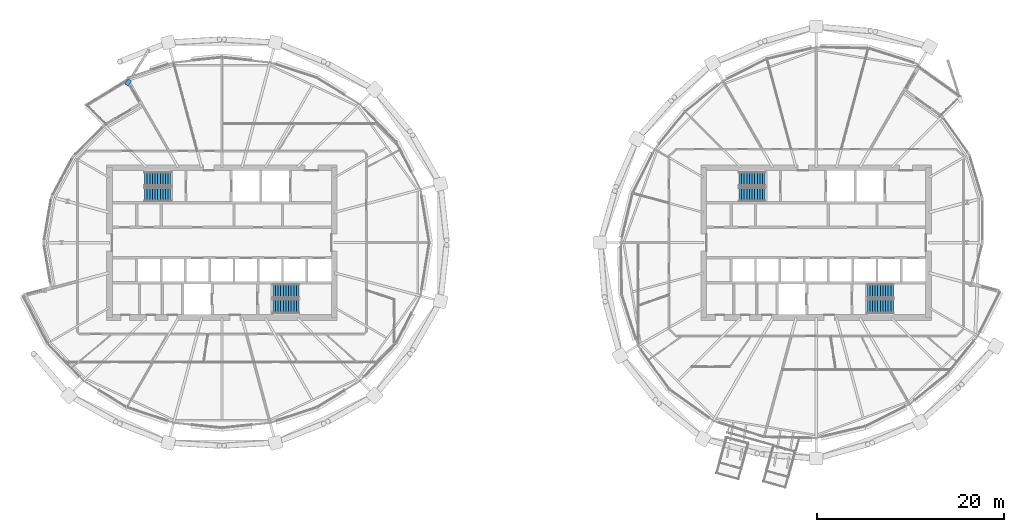
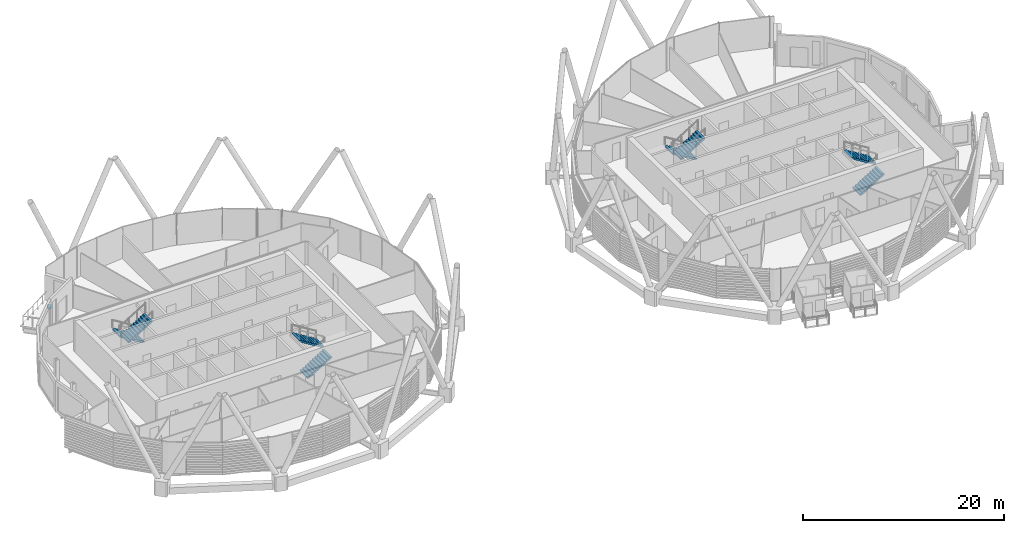
# One storey, part 28 of 37: 8 stair flights, 1 discrete accessory, 4 elements without a shape of their own.
"""IFC4 building model written with IfcOpenShell, lengths in metres."""

import ifcopenshell
import ifcopenshell.guid

model = None  # the IFC model being written
_history = None  # IfcOwnerHistory: only IFC2X3 demands one
_inside = {}  # id of a spatial element -> (the spatial element, [elements in it])
_under = {}  # id of a project, library or spatial element -> (it, [spatial elements below it])
_declared = {}  # id of a project -> (the project, [libraries it declares])
_typed = {}  # id of a type object -> (the type object, [elements of that type])
_made_of = {}  # id of a material, layer set ... -> (it, [elements and type objects made of it])


def new_model(schema):
    """Start an empty IFC model of exactly this schema.

    Asked for "IFC4X3", IfcOpenShell would pick the latest addendum, in which some entities
    have other attributes; the version numbers below select the first issue.
    IFC2X3 requires an IfcOwnerHistory on every rooted entity: one is made here for all.
    """
    global model, _history
    if schema == "IFC4X3":
        model = ifcopenshell.file(schema_version=(4, 3, 0, 0))
    else:
        model = ifcopenshell.file(schema=schema)
    _inside.clear()
    _under.clear()
    _declared.clear()
    _typed.clear()
    _made_of.clear()
    _history = None
    if model.schema == "IFC2X3":
        org = make("IfcOrganization", Name="unknown")
        user = make(
            "IfcPersonAndOrganization",
            ThePerson=make("IfcPerson", FamilyName="unknown"),
            TheOrganization=org,
        )
        app = make(
            "IfcApplication",
            ApplicationDeveloper=org,
            Version="unknown",
            ApplicationFullName="unknown",
            ApplicationIdentifier="unknown",
        )
        _history = make(
            "IfcOwnerHistory",
            OwningUser=user,
            OwningApplication=app,
            ChangeAction="ADDED",
            CreationDate=0,
        )
    return model


def make(cls, **values):
    """One entity of the class cls with the attributes given. An attribute that is None is left unset."""
    return model.create_entity(
        cls, **{name: value for name, value in values.items() if value is not None}
    )


def rooted(cls, **values):
    """An entity with a GlobalId (a new one), such as an element, a storey or a relation."""
    return make(cls, GlobalId=ifcopenshell.guid.new(), OwnerHistory=_history, **values)


def si_unit(unit_type, name, prefix=None):
    """IfcSIUnit, for example si_unit("LENGTHUNIT", "METRE", prefix="MILLI")."""
    return make("IfcSIUnit", UnitType=unit_type, Prefix=prefix, Name=name)


def assignment(units):
    """IfcUnitAssignment: the units of a project."""
    return None if units is None else make("IfcUnitAssignment", Units=units)


def point(xyz):
    """IfcCartesianPoint."""
    return None if xyz is None else make("IfcCartesianPoint", Coordinates=xyz)


def direction(xyz):
    """IfcDirection."""
    return None if xyz is None else make("IfcDirection", DirectionRatios=xyz)


def frame(location, z_axis=None, x_axis=None):
    """IfcAxis2Placement3D, a coordinate frame: its origin and axes. An axis left out is left unset."""
    return make(
        "IfcAxis2Placement3D",
        Location=point(location),
        Axis=direction(z_axis),
        RefDirection=direction(x_axis),
    )


def frame_2d(location, x_axis=None):
    """IfcAxis2Placement2D, a coordinate frame in the plane: its origin and x axis."""
    return make(
        "IfcAxis2Placement2D", Location=point(location), RefDirection=direction(x_axis)
    )


def origin():
    """The frame at (0, 0, 0) with its axes left unset."""
    return frame((0.0, 0.0, 0.0))


def origin_2d():
    """The frame at (0, 0) in the plane with its x axis left unset."""
    return frame_2d((0.0, 0.0))


def place(relative_to, where):
    """IfcLocalPlacement: puts the frame where relative to a parent placement (None: the world)."""
    return make(
        "IfcLocalPlacement", PlacementRelTo=relative_to, RelativePlacement=where
    )


def context(
    kind, dimensions, precision=None, world=None, true_north=None, identifier=None
):
    """IfcGeometricRepresentationContext, for example the 3D "Model" context."""
    return make(
        "IfcGeometricRepresentationContext",
        ContextIdentifier=identifier,
        ContextType=kind,
        CoordinateSpaceDimension=dimensions,
        Precision=precision,
        WorldCoordinateSystem=world,
        TrueNorth=true_north,
    )


def subcontext(parent, identifier, kind, view, scale=None):
    """IfcGeometricRepresentationSubContext, for example "Body" below "Model"."""
    return make(
        "IfcGeometricRepresentationSubContext",
        ContextIdentifier=identifier,
        ContextType=kind,
        ParentContext=parent,
        TargetScale=scale,
        TargetView=view,
    )


def project(units=None, contexts=None):
    """IfcProject with its units and contexts."""
    return rooted(
        "IfcProject",
        Name="project",
        RepresentationContexts=contexts,
        UnitsInContext=assignment(units),
    )


def spatial(cls, under=None, at=None, **own):
    """A site, building, storey or space (cls), placed at a placement, below another one or the project."""
    s = rooted(cls, ObjectPlacement=at, **own)
    if under is not None:
        _under.setdefault(under.id(), (under, []))[1].append(s)
    return s


def polyline(points):
    """IfcPolyline through the points."""
    return make("IfcPolyline", Points=[point(p) for p in points])


def profile(cls, at=None, kind="AREA", **sizes):
    """A parametric profile (cls). Its sizes go by their IFC names, for example OverallWidth=200.0."""
    return make(cls, ProfileType=kind, Position=at, **sizes)


def rectangle(**sizes):
    """IfcRectangleProfileDef."""
    return profile("IfcRectangleProfileDef", **sizes)


def outline(outer, holes=None, kind="AREA"):
    """IfcArbitraryClosedProfileDef: a profile drawn as a closed curve; with holes, ...WithVoids."""
    if holes is None:
        return make("IfcArbitraryClosedProfileDef", ProfileType=kind, OuterCurve=outer)
    return make(
        "IfcArbitraryProfileDefWithVoids",
        ProfileType=kind,
        OuterCurve=outer,
        InnerCurves=holes,
    )


def extrude(swept, where, along, depth):
    """IfcExtrudedAreaSolid: the profile swept, set in the frame where, extruded along a direction by depth."""
    return make(
        "IfcExtrudedAreaSolid",
        SweptArea=swept,
        Position=where,
        ExtrudedDirection=direction(along),
        Depth=depth,
    )


def shape(context_of_items, identifier, shape_type, items):
    """IfcShapeRepresentation: the items that make up one representation, for example the "Body"."""
    return make(
        "IfcShapeRepresentation",
        ContextOfItems=context_of_items,
        RepresentationIdentifier=identifier,
        RepresentationType=shape_type,
        Items=items,
    )


def material(Name=None, Category=None):
    """IfcMaterial."""
    return make("IfcMaterial", Name=Name, Category=Category)


def material_profile(
    of_material, cross_section, Name=None, Category=None, Priority=None
):
    """IfcMaterialProfile: a cross section and its material."""
    return make(
        "IfcMaterialProfile",
        Name=Name,
        Material=of_material,
        Profile=cross_section,
        Priority=Priority,
        Category=Category,
    )


def profile_set(profiles, Name=None, composite=None):
    """IfcMaterialProfileSet."""
    return make(
        "IfcMaterialProfileSet",
        Name=Name,
        MaterialProfiles=profiles,
        CompositeProfile=composite,
    )


def made_of(thing, what):
    """Note that an element or type object is made of a material, layer set ...; save() writes the relation."""
    if what is not None:
        _made_of.setdefault(what.id(), (what, []))[1].append(thing)
    return thing


def type_object(cls, material=None, **own):
    """A type object (cls), such as IfcWallType, which elements share."""
    return made_of(rooted(cls, **own), material)


def element(
    cls,
    number,
    at=None,
    inside=None,
    cuts=None,
    type_object=None,
    material=None,
    context=None,
    identifier="Body",
    shape_type=None,
    held_by="IfcProductDefinitionShape",
    body=None,
    shapes=None,
    **own,
):
    """One element of the class cls, such as IfcWall. Its Tag is "e" and its number.

    at: its placement. inside: the storey or other place that contains it. cuts: it is an
    opening in that element (IfcRelVoidsElement). A single representation is given by context,
    identifier, shape_type and body (its items); several are given by shapes. held_by: the class
    of the entity that holds the representations. save() writes the other relations.
    """
    e = rooted(cls, Tag="e%d" % number, ObjectPlacement=at, **own)
    if body is not None:
        shapes = [shape(context, identifier, shape_type, body)]
    if shapes is not None:
        e.Representation = make(held_by, Representations=shapes)
    if inside is not None:
        _inside.setdefault(inside.id(), (inside, []))[1].append(e)
    if cuts is not None:
        rooted(
            "IfcRelVoidsElement", RelatingBuildingElement=cuts, RelatedOpeningElement=e
        )
    if type_object is not None:
        _typed.setdefault(type_object.id(), (type_object, []))[1].append(e)
    return made_of(e, material)


def aggregate(whole, parts):
    """IfcRelAggregates: a whole, such as a stair, and the parts it consists of."""
    return rooted("IfcRelAggregates", RelatingObject=whole, RelatedObjects=parts)


def save(model, path):
    """Write the relations noted so far, then the file.

    IfcRelAggregates (storeys below a building ...), IfcRelContainedInSpatialStructure (elements
    in a storey), IfcRelDefinesByType, IfcRelAssociatesMaterial and IfcRelDeclares: one each for
    every whole, place, type object, material and project.
    """
    for whole, parts in _under.values():
        aggregate(whole, parts)
    for where, things in _inside.values():
        rooted(
            "IfcRelContainedInSpatialStructure",
            RelatedElements=things,
            RelatingStructure=where,
        )
    for kind, things in _typed.values():
        rooted("IfcRelDefinesByType", RelatedObjects=things, RelatingType=kind)
    for what, things in _made_of.values():
        rooted("IfcRelAssociatesMaterial", RelatedObjects=things, RelatingMaterial=what)
    for by, libraries in _declared.values():
        rooted("IfcRelDeclares", RelatingContext=by, RelatedDefinitions=libraries)
    model.write(path)


model = new_model("IFC4")

# Units and contexts
model_context = context("Model", 3, precision=1e-05, world=origin(), true_north=direction((0.0, 1.0)))
body_context = subcontext(model_context, "Body", "Model", "MODEL_VIEW")
ifc_project = project(units=[si_unit("LENGTHUNIT", "METRE"), si_unit("AREAUNIT", "SQUARE_METRE"), si_unit("VOLUMEUNIT", "CUBIC_METRE"), si_unit("PLANEANGLEUNIT", "RADIAN"), si_unit("MASSUNIT", "GRAM", prefix="KILO")], contexts=[model_context])

# Site, building, storey
site_placement = place(None, origin())
site = spatial("IfcSite", under=ifc_project, at=site_placement, CompositionType="ELEMENT")
building_placement = place(site_placement, origin())
building = spatial("IfcBuilding", under=site, at=building_placement, Name="Rimbun Link Towers", CompositionType="ELEMENT")
storey_placement = place(building_placement, frame((0.0, 0.0, 170.300048828125)))
storey = spatial("IfcBuildingStorey", under=building, at=storey_placement, Name="L41", CompositionType="ELEMENT", Elevation=170.300048828125)

# Stair, stair flights
ifc_material_1 = material(Name="Concrete C40/50", Category="concrete")
stair_type = type_object("IfcStairType", Name="Exit stair 3800 rise", PredefinedType="HALF_TURN_STAIR", material=ifc_material_1)
stair_1_placement = place(storey_placement, origin())
stair_1 = element("IfcStair", 1, at=stair_1_placement, inside=storey, type_object=stair_type, Name="L41 EXIT STAIR A", PredefinedType="HALF_TURN_STAIR")
ifc_material_2 = material(Name="Concrete C40/50", Category="concrete")
stair_flight_type = type_object("IfcStairFlightType", Name="Exit stair flight 3800 rise", PredefinedType="STRAIGHT", material=ifc_material_2)
stair_flight_1_placement = place(storey_placement, frame((-37.199951171875, 6.800048828125, 0.0), z_axis=(0.0, 0.0, 1.0), x_axis=(-1.0, 0.0, 0.0)))
stair_flight_1 = element("IfcStairFlight", 2, at=stair_flight_1_placement, type_object=stair_flight_type, Name="ST1 flight 1", NumberOfRisers=11, NumberOfTreads=10, PredefinedType="STRAIGHT", RiserHeight=0.172727273, TreadLength=0.28, context=body_context, shape_type="SweptSolid", body=[
    extrude(outline(polyline([(0.0, 0.0), (0.0, 0.172607421875), (0.280029296875, 0.172607421875), (0.280029296875, 0.345458984375), (0.56005859375, 0.345458984375), (0.56005859375, 0.51806640625), (0.840087890625, 0.51806640625), (0.840087890625, 0.69091796875), (1.1201171875, 0.69091796875), (1.1201171875, 0.863525390625), (1.39990234375, 0.863525390625), (1.39990234375, 1.036376953125), (1.679931640625, 1.036376953125), (1.679931640625, 1.208984375), (1.9599609375, 1.208984375), (1.9599609375, 1.3818359375), (2.239990234375, 1.3818359375), (2.239990234375, 1.554443359375), (2.52001953125, 1.554443359375), (2.52001953125, 1.727294921875), (2.800048828125, 1.727294921875), (2.800048828125, 1.89990234375), (2.800048828125, 1.551025390625), (0.280029296875, 0.0), (0.0, 0.0)])), frame((0.0, 0.75, 0.0), z_axis=(0.0, -1.0, 0.0), x_axis=(1.0, 0.0, 0.0)), (0.0, 0.0, 1.0), 1.5),
])
stair_flight_2_placement = place(storey_placement, frame((-40.0, 5.14990234375, 1.89990234375), z_axis=(0.0, 0.0, 1.0), x_axis=(1.0, 0.0, 0.0)))
stair_flight_2 = element("IfcStairFlight", 3, at=stair_flight_2_placement, type_object=stair_flight_type, Name="ST1 flight 2", NumberOfRisers=11, NumberOfTreads=10, PredefinedType="STRAIGHT", RiserHeight=0.172727273, TreadLength=0.28, context=body_context, shape_type="SweptSolid", body=[
    extrude(outline(polyline([(0.0, 0.0), (0.0, 0.172607421875), (0.280029296875, 0.172607421875), (0.280029296875, 0.345458984375), (0.56005859375, 0.345458984375), (0.56005859375, 0.51806640625), (0.840087890625, 0.51806640625), (0.840087890625, 0.69091796875), (1.1201171875, 0.69091796875), (1.1201171875, 0.863525390625), (1.39990234375, 0.863525390625), (1.39990234375, 1.036376953125), (1.679931640625, 1.036376953125), (1.679931640625, 1.208984375), (1.9599609375, 1.208984375), (1.9599609375, 1.3818359375), (2.239990234375, 1.3818359375), (2.239990234375, 1.554443359375), (2.52001953125, 1.554443359375), (2.52001953125, 1.727294921875), (2.800048828125, 1.727294921875), (2.800048828125, 1.89990234375), (2.800048828125, 1.551025390625), (0.280029296875, 0.0), (0.0, 0.0)])), frame((0.0, 0.75, 0.0), z_axis=(0.0, -1.0, 0.0), x_axis=(1.0, 0.0, 0.0)), (0.0, 0.0, 1.0), 1.5),
])
aggregate(stair_1, [stair_flight_1, stair_flight_2])

stair_2_placement = place(storey_placement, origin())
stair_2 = element("IfcStair", 4, at=stair_2_placement, inside=storey, type_object=stair_type, Name="L41 EXIT STAIR B", PredefinedType="HALF_TURN_STAIR")
stair_flight_3_placement = place(storey_placement, frame((-26.300048828125, -6.800048828125, 0.0), z_axis=(0.0, 0.0, 1.0), x_axis=(1.0, 0.0, 0.0)))
stair_flight_3 = element("IfcStairFlight", 5, at=stair_flight_3_placement, type_object=stair_flight_type, Name="ST2 flight 1", NumberOfRisers=11, NumberOfTreads=10, PredefinedType="STRAIGHT", RiserHeight=0.172727273, TreadLength=0.28, context=body_context, shape_type="SweptSolid", body=[
    extrude(outline(polyline([(0.0, 0.0), (0.0, 0.172607421875), (0.280029296875, 0.172607421875), (0.280029296875, 0.345458984375), (0.56005859375, 0.345458984375), (0.56005859375, 0.51806640625), (0.840087890625, 0.51806640625), (0.840087890625, 0.69091796875), (1.1201171875, 0.69091796875), (1.1201171875, 0.863525390625), (1.39990234375, 0.863525390625), (1.39990234375, 1.036376953125), (1.679931640625, 1.036376953125), (1.679931640625, 1.208984375), (1.9599609375, 1.208984375), (1.9599609375, 1.3818359375), (2.239990234375, 1.3818359375), (2.239990234375, 1.554443359375), (2.52001953125, 1.554443359375), (2.52001953125, 1.727294921875), (2.800048828125, 1.727294921875), (2.800048828125, 1.89990234375), (2.800048828125, 1.551025390625), (0.280029296875, 0.0), (0.0, 0.0)])), frame((0.0, 0.75, 0.0), z_axis=(0.0, -1.0, 0.0), x_axis=(1.0, 0.0, 0.0)), (0.0, 0.0, 1.0), 1.5),
])
stair_flight_4_placement = place(storey_placement, frame((-23.5, -5.14990234375, 1.89990234375), z_axis=(0.0, 0.0, 1.0), x_axis=(-1.0, 0.0, 0.0)))
stair_flight_4 = element("IfcStairFlight", 6, at=stair_flight_4_placement, type_object=stair_flight_type, Name="ST2 flight 2", NumberOfRisers=11, NumberOfTreads=10, PredefinedType="STRAIGHT", RiserHeight=0.172727273, TreadLength=0.28, context=body_context, shape_type="SweptSolid", body=[
    extrude(outline(polyline([(0.0, 0.0), (0.0, 0.172607421875), (0.280029296875, 0.172607421875), (0.280029296875, 0.345458984375), (0.56005859375, 0.345458984375), (0.56005859375, 0.51806640625), (0.840087890625, 0.51806640625), (0.840087890625, 0.69091796875), (1.1201171875, 0.69091796875), (1.1201171875, 0.863525390625), (1.39990234375, 0.863525390625), (1.39990234375, 1.036376953125), (1.679931640625, 1.036376953125), (1.679931640625, 1.208984375), (1.9599609375, 1.208984375), (1.9599609375, 1.3818359375), (2.239990234375, 1.3818359375), (2.239990234375, 1.554443359375), (2.52001953125, 1.554443359375), (2.52001953125, 1.727294921875), (2.800048828125, 1.727294921875), (2.800048828125, 1.89990234375), (2.800048828125, 1.551025390625), (0.280029296875, 0.0), (0.0, 0.0)])), frame((0.0, 0.75, 0.0), z_axis=(0.0, -1.0, 0.0), x_axis=(1.0, 0.0, 0.0)), (0.0, 0.0, 1.0), 1.5),
])
aggregate(stair_2, [stair_flight_3, stair_flight_4])

stair_3_placement = place(storey_placement, origin())
stair_3 = element("IfcStair", 7, at=stair_3_placement, inside=storey, type_object=stair_type, Name="L41 EXIT STAIR A", PredefinedType="HALF_TURN_STAIR")
stair_flight_5_placement = place(storey_placement, frame((26.300048828125, 6.800048828125, 0.0), z_axis=(0.0, 0.0, 1.0), x_axis=(-1.0, 0.0, 0.0)))
stair_flight_5 = element("IfcStairFlight", 8, at=stair_flight_5_placement, type_object=stair_flight_type, Name="ST3 flight 1", NumberOfRisers=11, NumberOfTreads=10, PredefinedType="STRAIGHT", RiserHeight=0.172727273, TreadLength=0.28, context=body_context, shape_type="SweptSolid", body=[
    extrude(outline(polyline([(0.0, 0.0), (0.0, 0.172607421875), (0.280029296875, 0.172607421875), (0.280029296875, 0.345458984375), (0.56005859375, 0.345458984375), (0.56005859375, 0.51806640625), (0.840087890625, 0.51806640625), (0.840087890625, 0.69091796875), (1.1201171875, 0.69091796875), (1.1201171875, 0.863525390625), (1.39990234375, 0.863525390625), (1.39990234375, 1.036376953125), (1.679931640625, 1.036376953125), (1.679931640625, 1.208984375), (1.9599609375, 1.208984375), (1.9599609375, 1.3818359375), (2.239990234375, 1.3818359375), (2.239990234375, 1.554443359375), (2.52001953125, 1.554443359375), (2.52001953125, 1.727294921875), (2.800048828125, 1.727294921875), (2.800048828125, 1.89990234375), (2.800048828125, 1.551025390625), (0.280029296875, 0.0), (0.0, 0.0)])), frame((0.0, 0.75, 0.0), z_axis=(0.0, -1.0, 0.0), x_axis=(1.0, 0.0, 0.0)), (0.0, 0.0, 1.0), 1.5),
])
stair_flight_6_placement = place(storey_placement, frame((23.5, 5.14990234375, 1.89990234375), z_axis=(0.0, 0.0, 1.0), x_axis=(1.0, 0.0, 0.0)))
stair_flight_6 = element("IfcStairFlight", 9, at=stair_flight_6_placement, type_object=stair_flight_type, Name="ST3 flight 2", NumberOfRisers=11, NumberOfTreads=10, PredefinedType="STRAIGHT", RiserHeight=0.172727273, TreadLength=0.28, context=body_context, shape_type="SweptSolid", body=[
    extrude(outline(polyline([(0.0, 0.0), (0.0, 0.172607421875), (0.280029296875, 0.172607421875), (0.280029296875, 0.345458984375), (0.56005859375, 0.345458984375), (0.56005859375, 0.51806640625), (0.840087890625, 0.51806640625), (0.840087890625, 0.69091796875), (1.1201171875, 0.69091796875), (1.1201171875, 0.863525390625), (1.39990234375, 0.863525390625), (1.39990234375, 1.036376953125), (1.679931640625, 1.036376953125), (1.679931640625, 1.208984375), (1.9599609375, 1.208984375), (1.9599609375, 1.3818359375), (2.239990234375, 1.3818359375), (2.239990234375, 1.554443359375), (2.52001953125, 1.554443359375), (2.52001953125, 1.727294921875), (2.800048828125, 1.727294921875), (2.800048828125, 1.89990234375), (2.800048828125, 1.551025390625), (0.280029296875, 0.0), (0.0, 0.0)])), frame((0.0, 0.75, 0.0), z_axis=(0.0, -1.0, 0.0), x_axis=(1.0, 0.0, 0.0)), (0.0, 0.0, 1.0), 1.5),
])
aggregate(stair_3, [stair_flight_5, stair_flight_6])

stair_4_placement = place(storey_placement, origin())
stair_4 = element("IfcStair", 10, at=stair_4_placement, inside=storey, type_object=stair_type, Name="L41 EXIT STAIR B", PredefinedType="HALF_TURN_STAIR")
stair_flight_7_placement = place(storey_placement, frame((37.199951171875, -6.800048828125, 0.0), z_axis=(0.0, 0.0, 1.0), x_axis=(1.0, 0.0, 0.0)))
stair_flight_7 = element("IfcStairFlight", 11, at=stair_flight_7_placement, type_object=stair_flight_type, Name="ST4 flight 1", NumberOfRisers=11, NumberOfTreads=10, PredefinedType="STRAIGHT", RiserHeight=0.172727273, TreadLength=0.28, context=body_context, shape_type="SweptSolid", body=[
    extrude(outline(polyline([(0.0, 0.0), (0.0, 0.172607421875), (0.280029296875, 0.172607421875), (0.280029296875, 0.345458984375), (0.56005859375, 0.345458984375), (0.56005859375, 0.51806640625), (0.840087890625, 0.51806640625), (0.840087890625, 0.69091796875), (1.1201171875, 0.69091796875), (1.1201171875, 0.863525390625), (1.39990234375, 0.863525390625), (1.39990234375, 1.036376953125), (1.679931640625, 1.036376953125), (1.679931640625, 1.208984375), (1.9599609375, 1.208984375), (1.9599609375, 1.3818359375), (2.239990234375, 1.3818359375), (2.239990234375, 1.554443359375), (2.52001953125, 1.554443359375), (2.52001953125, 1.727294921875), (2.800048828125, 1.727294921875), (2.800048828125, 1.89990234375), (2.800048828125, 1.551025390625), (0.280029296875, 0.0), (0.0, 0.0)])), frame((0.0, 0.75, 0.0), z_axis=(0.0, -1.0, 0.0), x_axis=(1.0, 0.0, 0.0)), (0.0, 0.0, 1.0), 1.5),
])
stair_flight_8_placement = place(storey_placement, frame((40.0, -5.14990234375, 1.89990234375), z_axis=(0.0, 0.0, 1.0), x_axis=(-1.0, 0.0, 0.0)))
stair_flight_8 = element("IfcStairFlight", 12, at=stair_flight_8_placement, type_object=stair_flight_type, Name="ST4 flight 2", NumberOfRisers=11, NumberOfTreads=10, PredefinedType="STRAIGHT", RiserHeight=0.172727273, TreadLength=0.28, context=body_context, shape_type="SweptSolid", body=[
    extrude(outline(polyline([(0.0, 0.0), (0.0, 0.172607421875), (0.280029296875, 0.172607421875), (0.280029296875, 0.345458984375), (0.56005859375, 0.345458984375), (0.56005859375, 0.51806640625), (0.840087890625, 0.51806640625), (0.840087890625, 0.69091796875), (1.1201171875, 0.69091796875), (1.1201171875, 0.863525390625), (1.39990234375, 0.863525390625), (1.39990234375, 1.036376953125), (1.679931640625, 1.036376953125), (1.679931640625, 1.208984375), (1.9599609375, 1.208984375), (1.9599609375, 1.3818359375), (2.239990234375, 1.3818359375), (2.239990234375, 1.554443359375), (2.52001953125, 1.554443359375), (2.52001953125, 1.727294921875), (2.800048828125, 1.727294921875), (2.800048828125, 1.89990234375), (2.800048828125, 1.551025390625), (0.280029296875, 0.0), (0.0, 0.0)])), frame((0.0, 0.75, 0.0), z_axis=(0.0, -1.0, 0.0), x_axis=(1.0, 0.0, 0.0)), (0.0, 0.0, 1.0), 1.5),
])
aggregate(stair_4, [stair_flight_7, stair_flight_8])

# Discrete accessory
ifc_material_3 = material(Name="Steel S355J2H", Category="steel")
ifc_material_profile = material_profile(ifc_material_3, rectangle(XDim=0.43310546875, YDim=0.43310546875, at=origin_2d()), Name="PL 433x433")
ifc_profile_set = profile_set([ifc_material_profile], Name="Steel S355J2H")
discrete_accessory_type = type_object("IfcDiscreteAccessoryType", Name="Link head end plate 433X20", PredefinedType="BRACKET", material=ifc_profile_set)
discrete_accessory_placement = place(storey_placement, frame((0.0, 0.0, -0.772705078125)))
element("IfcDiscreteAccessory", 13, at=discrete_accessory_placement, inside=storey, type_object=discrete_accessory_type, Name="Link head end plate T1 L41 08", PredefinedType="BRACKET", context=body_context, shape_type="SweptSolid", body=[
    extrude(outline(polyline([(-41.745361328125, 16.713623046875), (-41.404541015625, 17.252197265625), (-41.7705078125, 17.48388671875), (-42.111083984375, 16.9453125), (-41.745361328125, 16.713623046875)])), origin(), (0.0, 0.0, 1.0), 0.02001953125),
])

save(model, "model.ifc")
